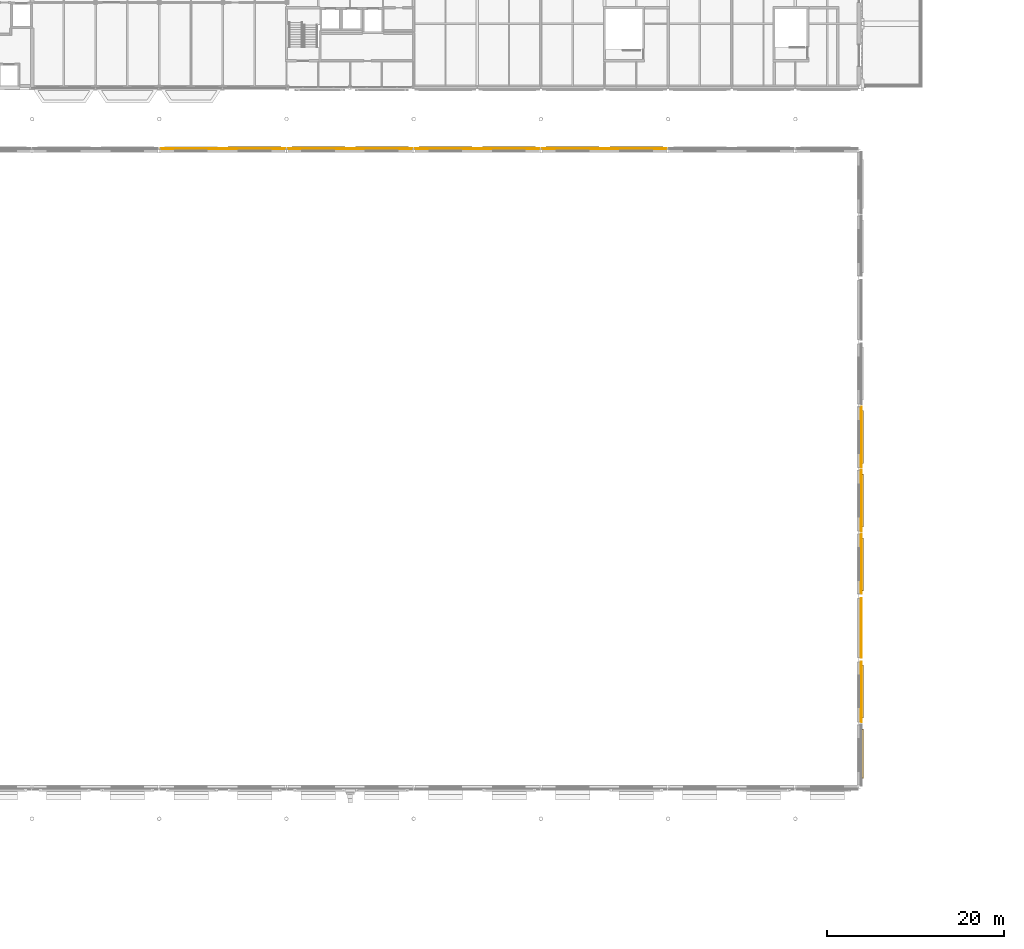
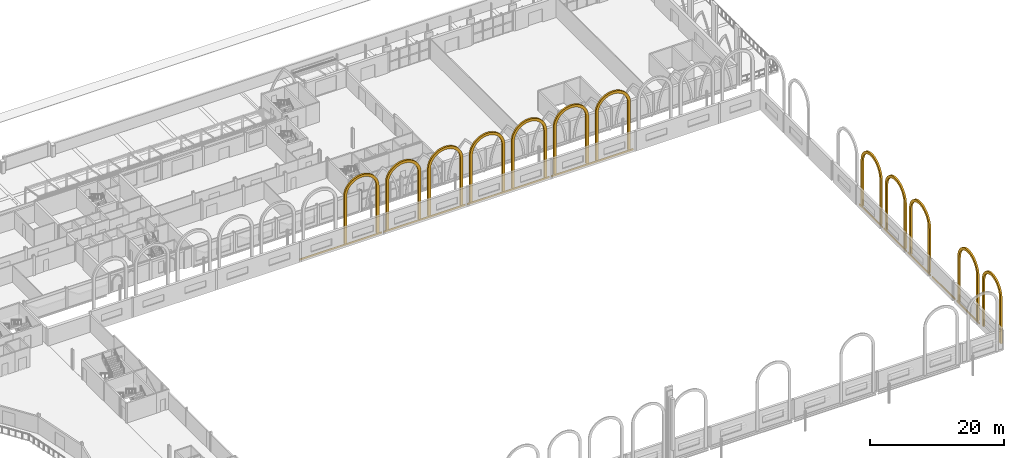
# One storey, part 125 of 143: 21 coverings.
"""IFC4 building model written with IfcOpenShell, lengths in metres."""

import ifcopenshell
import ifcopenshell.guid

model = None  # the IFC model being written
_history = None  # IfcOwnerHistory: only IFC2X3 demands one
_inside = {}  # id of a spatial element -> (the spatial element, [elements in it])
_under = {}  # id of a project, library or spatial element -> (it, [spatial elements below it])
_declared = {}  # id of a project -> (the project, [libraries it declares])
_typed = {}  # id of a type object -> (the type object, [elements of that type])
_made_of = {}  # id of a material, layer set ... -> (it, [elements and type objects made of it])


def new_model(schema):
    """Start an empty IFC model of exactly this schema.

    Asked for "IFC4X3", IfcOpenShell would pick the latest addendum, in which some entities
    have other attributes; the version numbers below select the first issue.
    IFC2X3 requires an IfcOwnerHistory on every rooted entity: one is made here for all.
    """
    global model, _history
    if schema == "IFC4X3":
        model = ifcopenshell.file(schema_version=(4, 3, 0, 0))
    else:
        model = ifcopenshell.file(schema=schema)
    _inside.clear()
    _under.clear()
    _declared.clear()
    _typed.clear()
    _made_of.clear()
    _history = None
    if model.schema == "IFC2X3":
        org = make("IfcOrganization", Name="unknown")
        user = make(
            "IfcPersonAndOrganization",
            ThePerson=make("IfcPerson", FamilyName="unknown"),
            TheOrganization=org,
        )
        app = make(
            "IfcApplication",
            ApplicationDeveloper=org,
            Version="unknown",
            ApplicationFullName="unknown",
            ApplicationIdentifier="unknown",
        )
        _history = make(
            "IfcOwnerHistory",
            OwningUser=user,
            OwningApplication=app,
            ChangeAction="ADDED",
            CreationDate=0,
        )
    return model


def make(cls, **values):
    """One entity of the class cls with the attributes given. An attribute that is None is left unset."""
    return model.create_entity(
        cls, **{name: value for name, value in values.items() if value is not None}
    )


def rooted(cls, **values):
    """An entity with a GlobalId (a new one), such as an element, a storey or a relation."""
    return make(cls, GlobalId=ifcopenshell.guid.new(), OwnerHistory=_history, **values)


def si_unit(unit_type, name, prefix=None):
    """IfcSIUnit, for example si_unit("LENGTHUNIT", "METRE", prefix="MILLI")."""
    return make("IfcSIUnit", UnitType=unit_type, Prefix=prefix, Name=name)


def assignment(units):
    """IfcUnitAssignment: the units of a project."""
    return None if units is None else make("IfcUnitAssignment", Units=units)


def point(xyz):
    """IfcCartesianPoint."""
    return None if xyz is None else make("IfcCartesianPoint", Coordinates=xyz)


def direction(xyz):
    """IfcDirection."""
    return None if xyz is None else make("IfcDirection", DirectionRatios=xyz)


def frame(location, z_axis=None, x_axis=None):
    """IfcAxis2Placement3D, a coordinate frame: its origin and axes. An axis left out is left unset."""
    return make(
        "IfcAxis2Placement3D",
        Location=point(location),
        Axis=direction(z_axis),
        RefDirection=direction(x_axis),
    )


def frame_2d(location, x_axis=None):
    """IfcAxis2Placement2D, a coordinate frame in the plane: its origin and x axis."""
    return make(
        "IfcAxis2Placement2D", Location=point(location), RefDirection=direction(x_axis)
    )


def origin():
    """The frame at (0, 0, 0) with its axes left unset."""
    return frame((0.0, 0.0, 0.0))


def origin_2d():
    """The frame at (0, 0) in the plane with its x axis left unset."""
    return frame_2d((0.0, 0.0))


def place(relative_to, where):
    """IfcLocalPlacement: puts the frame where relative to a parent placement (None: the world)."""
    return make(
        "IfcLocalPlacement", PlacementRelTo=relative_to, RelativePlacement=where
    )


def context(
    kind, dimensions, precision=None, world=None, true_north=None, identifier=None
):
    """IfcGeometricRepresentationContext, for example the 3D "Model" context."""
    return make(
        "IfcGeometricRepresentationContext",
        ContextIdentifier=identifier,
        ContextType=kind,
        CoordinateSpaceDimension=dimensions,
        Precision=precision,
        WorldCoordinateSystem=world,
        TrueNorth=true_north,
    )


def subcontext(parent, identifier, kind, view, scale=None):
    """IfcGeometricRepresentationSubContext, for example "Body" below "Model"."""
    return make(
        "IfcGeometricRepresentationSubContext",
        ContextIdentifier=identifier,
        ContextType=kind,
        ParentContext=parent,
        TargetScale=scale,
        TargetView=view,
    )


def project(units=None, contexts=None):
    """IfcProject with its units and contexts."""
    return rooted(
        "IfcProject",
        Name="project",
        RepresentationContexts=contexts,
        UnitsInContext=assignment(units),
    )


def spatial(cls, under=None, at=None, **own):
    """A site, building, storey or space (cls), placed at a placement, below another one or the project."""
    s = rooted(cls, ObjectPlacement=at, **own)
    if under is not None:
        _under.setdefault(under.id(), (under, []))[1].append(s)
    return s


def polyline(points):
    """IfcPolyline through the points."""
    return make("IfcPolyline", Points=[point(p) for p in points])


def profile(cls, at=None, kind="AREA", **sizes):
    """A parametric profile (cls). Its sizes go by their IFC names, for example OverallWidth=200.0."""
    return make(cls, ProfileType=kind, Position=at, **sizes)


def rectangle(**sizes):
    """IfcRectangleProfileDef."""
    return profile("IfcRectangleProfileDef", **sizes)


def outline(outer, holes=None, kind="AREA"):
    """IfcArbitraryClosedProfileDef: a profile drawn as a closed curve; with holes, ...WithVoids."""
    if holes is None:
        return make("IfcArbitraryClosedProfileDef", ProfileType=kind, OuterCurve=outer)
    return make(
        "IfcArbitraryProfileDefWithVoids",
        ProfileType=kind,
        OuterCurve=outer,
        InnerCurves=holes,
    )


def extrude(swept, where, along, depth):
    """IfcExtrudedAreaSolid: the profile swept, set in the frame where, extruded along a direction by depth."""
    return make(
        "IfcExtrudedAreaSolid",
        SweptArea=swept,
        Position=where,
        ExtrudedDirection=direction(along),
        Depth=depth,
    )


def shape(context_of_items, identifier, shape_type, items):
    """IfcShapeRepresentation: the items that make up one representation, for example the "Body"."""
    return make(
        "IfcShapeRepresentation",
        ContextOfItems=context_of_items,
        RepresentationIdentifier=identifier,
        RepresentationType=shape_type,
        Items=items,
    )


def material(Name=None, Category=None):
    """IfcMaterial."""
    return make("IfcMaterial", Name=Name, Category=Category)


def layer(
    of_material, thickness, ventilated=None, Name=None, Category=None, Priority=None
):
    """IfcMaterialLayer: one layer of a wall or slab, of a material (None: an air gap)."""
    return make(
        "IfcMaterialLayer",
        Material=of_material,
        LayerThickness=thickness,
        IsVentilated=ventilated,
        Name=Name,
        Category=Category,
        Priority=Priority,
    )


def layer_set(layers, Name=None):
    """IfcMaterialLayerSet."""
    return make("IfcMaterialLayerSet", MaterialLayers=layers, LayerSetName=Name)


def made_of(thing, what):
    """Note that an element or type object is made of a material, layer set ...; save() writes the relation."""
    if what is not None:
        _made_of.setdefault(what.id(), (what, []))[1].append(thing)
    return thing


def type_object(cls, material=None, **own):
    """A type object (cls), such as IfcWallType, which elements share."""
    return made_of(rooted(cls, **own), material)


def element(
    cls,
    number,
    at=None,
    inside=None,
    cuts=None,
    type_object=None,
    material=None,
    context=None,
    identifier="Body",
    shape_type=None,
    held_by="IfcProductDefinitionShape",
    body=None,
    shapes=None,
    **own,
):
    """One element of the class cls, such as IfcWall. Its Tag is "e" and its number.

    at: its placement. inside: the storey or other place that contains it. cuts: it is an
    opening in that element (IfcRelVoidsElement). A single representation is given by context,
    identifier, shape_type and body (its items); several are given by shapes. held_by: the class
    of the entity that holds the representations. save() writes the other relations.
    """
    e = rooted(cls, Tag="e%d" % number, ObjectPlacement=at, **own)
    if body is not None:
        shapes = [shape(context, identifier, shape_type, body)]
    if shapes is not None:
        e.Representation = make(held_by, Representations=shapes)
    if inside is not None:
        _inside.setdefault(inside.id(), (inside, []))[1].append(e)
    if cuts is not None:
        rooted(
            "IfcRelVoidsElement", RelatingBuildingElement=cuts, RelatedOpeningElement=e
        )
    if type_object is not None:
        _typed.setdefault(type_object.id(), (type_object, []))[1].append(e)
    return made_of(e, material)


def aggregate(whole, parts):
    """IfcRelAggregates: a whole, such as a stair, and the parts it consists of."""
    return rooted("IfcRelAggregates", RelatingObject=whole, RelatedObjects=parts)


def save(model, path):
    """Write the relations noted so far, then the file.

    IfcRelAggregates (storeys below a building ...), IfcRelContainedInSpatialStructure (elements
    in a storey), IfcRelDefinesByType, IfcRelAssociatesMaterial and IfcRelDeclares: one each for
    every whole, place, type object, material and project.
    """
    for whole, parts in _under.values():
        aggregate(whole, parts)
    for where, things in _inside.values():
        rooted(
            "IfcRelContainedInSpatialStructure",
            RelatedElements=things,
            RelatingStructure=where,
        )
    for kind, things in _typed.values():
        rooted("IfcRelDefinesByType", RelatedObjects=things, RelatingType=kind)
    for what, things in _made_of.values():
        rooted("IfcRelAssociatesMaterial", RelatedObjects=things, RelatingMaterial=what)
    for by, libraries in _declared.values():
        rooted("IfcRelDeclares", RelatingContext=by, RelatedDefinitions=libraries)
    model.write(path)


model = new_model("IFC4")

# Units and contexts
model_context = context("Model", 3, precision=1e-05, world=origin(), true_north=direction((0.0, 1.0)))
body_context = subcontext(model_context, "Body", "Model", "MODEL_VIEW")
ifc_project = project(units=[si_unit("LENGTHUNIT", "METRE"), si_unit("AREAUNIT", "SQUARE_METRE"), si_unit("VOLUMEUNIT", "CUBIC_METRE"), si_unit("PLANEANGLEUNIT", "RADIAN"), si_unit("MASSUNIT", "GRAM", prefix="KILO")], contexts=[model_context])

# Site, building, storey
site_placement = place(None, origin())
site = spatial("IfcSite", under=ifc_project, at=site_placement, CompositionType="ELEMENT")
building_placement = place(site_placement, origin())
building = spatial("IfcBuilding", under=site, at=building_placement, Name="Kupolbacken Congress Centre", CompositionType="ELEMENT")
storey_placement = place(building_placement, frame((0.0, 0.0, 7.199951171875)))
storey = spatial("IfcBuildingStorey", under=building, at=storey_placement, Name="L02", CompositionType="ELEMENT", Elevation=7.199951171875)

# Coverings
ifc_material_1 = material(Name="Brick cladding", Category="masonry")
ifc_layer_1 = layer(ifc_material_1, 0.10791015625)
ifc_layer_set_1 = layer_set([ifc_layer_1], Name="Brick cladding")
covering_type_1 = type_object("IfcCoveringType", Name="CV2 brick cladding band 108", PredefinedType="CLADDING", material=ifc_layer_set_1)
covering_1_placement = place(storey_placement, frame((201.864013671875, 53.949951171875, 0.0), z_axis=(0.0, 0.0, 1.0), x_axis=(0.0, 1.0, 0.0)))
element("IfcCovering", 1, at=covering_1_placement, inside=storey, type_object=covering_type_1, Name="E/H/E/L02/247/band", PredefinedType="CLADDING", context=body_context, shape_type="SweptSolid", body=[
    extrude(rectangle(XDim=6.81005859375, YDim=0.10791015625, at=origin_2d()), origin(), (0.0, 0.0, 1.0), 0.300048828125),
])
covering_2_placement = place(storey_placement, frame((201.864013671875, 61.199951171875, 0.0), z_axis=(0.0, 0.0, 1.0), x_axis=(0.0, 1.0, 0.0)))
element("IfcCovering", 2, at=covering_2_placement, inside=storey, type_object=covering_type_1, Name="E/H/E/L02/248/band", PredefinedType="CLADDING", context=body_context, shape_type="SweptSolid", body=[
    extrude(rectangle(XDim=6.7099609375, YDim=0.10791015625, at=origin_2d()), origin(), (0.0, 0.0, 1.0), 0.300048828125),
])
covering_3_placement = place(storey_placement, frame((201.864013671875, 68.449951171875, 0.0), z_axis=(0.0, 0.0, 1.0), x_axis=(0.0, 1.0, 0.0)))
element("IfcCovering", 3, at=covering_3_placement, inside=storey, type_object=covering_type_1, Name="E/H/E/L02/249/band", PredefinedType="CLADDING", context=body_context, shape_type="SweptSolid", body=[
    extrude(rectangle(XDim=6.81005859375, YDim=0.10791015625, at=origin_2d()), origin(), (0.0, 0.0, 1.0), 0.300048828125),
])
for number, where, z_axis, x_axis, name in (
    (4, (201.864013671875, 75.60009765625, 0.0), (0.0, 0.0, 1.0), (0.0, 1.0, 0.0), "E/H/E/L02/250/band"),
    (5, (201.864013671875, 82.800048828125, 0.0), (0.0, 0.0, 1.0), (0.0, 1.0, 0.0), "E/H/E/L02/251/band"),
):
    element("IfcCovering", number, at=place(storey_placement, frame(where, z_axis=z_axis, x_axis=x_axis)), inside=storey, type_object=covering_type_1, Name=name, PredefinedType="CLADDING", context=body_context, shape_type="SweptSolid", body=[
        extrude(rectangle(XDim=6.909912109375, YDim=0.10791015625, at=origin_2d()), origin(), (0.0, 0.0, 1.0), 0.300048828125),
    ])
for number, where, z_axis, x_axis, name in (
    (6, (172.800048828125, 115.464111328125, 0.0), (0.0, 0.0, 1.0), (-1.0, 0.0, 0.0), "E/H/N/L02/258/band"),
    (7, (158.39990234375, 115.464111328125, 0.0), (0.0, 0.0, 1.0), (-1.0, 0.0, 0.0), "E/H/N/L02/259/band"),
    (8, (144.0, 115.464111328125, 0.0), (0.0, 0.0, 1.0), (-1.0, 0.0, 0.0), "E/H/N/L02/260/band"),
    (9, (129.60009765625, 115.464111328125, 0.0), (0.0, 0.0, 1.0), (-1.0, 0.0, 0.0), "E/H/N/L02/261/band"),
):
    element("IfcCovering", number, at=place(storey_placement, frame(where, z_axis=z_axis, x_axis=x_axis)), inside=storey, type_object=covering_type_1, Name=name, PredefinedType="CLADDING", context=body_context, shape_type="SweptSolid", body=[
        extrude(rectangle(XDim=14.10009765625, YDim=0.10791015625, at=origin_2d()), origin(), (0.0, 0.0, 1.0), 0.300048828125),
    ])
ifc_material_2 = material(Name="Limestone cladding", Category="masonry")
ifc_layer_2 = layer(ifc_material_2, 0.300048828125)
ifc_layer_set_2 = layer_set([ifc_layer_2], Name="Limestone cladding")
covering_type_2 = type_object("IfcCoveringType", Name="CV6 limestone arcade arch frame 300", PredefinedType="CLADDING", material=ifc_layer_set_2)
covering_4_placement = place(storey_placement, frame((130.199951171875, 115.409912109375, 0.300048828125), z_axis=(0.0, 1.0, 0.0), x_axis=(-1.0, 0.0, 0.0)))
element("IfcCovering", 10, at=covering_4_placement, inside=storey, type_object=covering_type_2, Name="F/HR/H/N/frame/06", PredefinedType="CLADDING", context=body_context, shape_type="SweptSolid", body=[
    extrude(outline(polyline([(0.0, 0.0), (0.0, 8.550048828125), (-0.018798828125, 8.885986328125), (-0.0751953125, 9.217529296875), (-0.16845703125, 9.540771484375), (-0.297119140625, 9.851806640625), (-0.459716796875, 10.14599609375), (-0.654541015625, 10.42041015625), (-0.878662109375, 10.67138671875), (-1.12939453125, 10.8955078125), (-1.40380859375, 11.090087890625), (-1.6982421875, 11.2529296875), (-2.00927734375, 11.381591796875), (-2.33251953125, 11.474853515625), (-2.6640625, 11.531005859375), (-3.0, 11.550048828125), (-3.3359375, 11.531005859375), (-3.66748046875, 11.474853515625), (-3.99072265625, 11.381591796875), (-4.3017578125, 11.2529296875), (-4.59619140625, 11.090087890625), (-4.87060546875, 10.8955078125), (-5.121337890625, 10.67138671875), (-5.345458984375, 10.42041015625), (-5.540283203125, 10.14599609375), (-5.702880859375, 9.851806640625), (-5.83154296875, 9.540771484375), (-5.9248046875, 9.217529296875), (-5.981201171875, 8.885986328125), (-6.0, 8.550048828125), (-6.0, 0.0), (-5.550048828125, 0.0), (-5.550048828125, 8.550048828125), (-5.533935546875, 8.83544921875), (-5.486083984375, 9.117431640625), (-5.406982421875, 9.39208984375), (-5.297607421875, 9.656494140625), (-5.1591796875, 9.90673828125), (-4.99365234375, 10.139892578125), (-4.802978515625, 10.35302734375), (-4.58984375, 10.543701171875), (-4.356689453125, 10.708984375), (-4.1064453125, 10.847412109375), (-3.84228515625, 10.956787109375), (-3.5673828125, 11.0361328125), (-3.285400390625, 11.083984375), (-3.0, 11.10009765625), (-2.714599609375, 11.083984375), (-2.4326171875, 11.0361328125), (-2.15771484375, 10.956787109375), (-1.8935546875, 10.847412109375), (-1.643310546875, 10.708984375), (-1.41015625, 10.543701171875), (-1.197021484375, 10.35302734375), (-1.00634765625, 10.139892578125), (-0.8408203125, 9.90673828125), (-0.702392578125, 9.656494140625), (-0.593017578125, 9.39208984375), (-0.513916015625, 9.117431640625), (-0.466064453125, 8.83544921875), (-0.449951171875, 8.550048828125), (-0.449951171875, 0.0), (0.0, 0.0)])), origin(), (0.0, 0.0, 1.0), 0.300048828125),
])
covering_5_placement = place(storey_placement, frame((137.39990234375, 115.409912109375, 0.300048828125), z_axis=(0.0, 1.0, 0.0), x_axis=(-1.0, 0.0, 0.0)))
element("IfcCovering", 11, at=covering_5_placement, inside=storey, type_object=covering_type_2, Name="F/HR/H/N/frame/07", PredefinedType="CLADDING", context=body_context, shape_type="SweptSolid", body=[
    extrude(outline(polyline([(0.0, 0.0), (0.0, 8.550048828125), (-0.018798828125, 8.885986328125), (-0.0751953125, 9.217529296875), (-0.16845703125, 9.540771484375), (-0.297119140625, 9.851806640625), (-0.459716796875, 10.14599609375), (-0.654541015625, 10.42041015625), (-0.878662109375, 10.67138671875), (-1.12939453125, 10.8955078125), (-1.40380859375, 11.090087890625), (-1.6982421875, 11.2529296875), (-2.00927734375, 11.381591796875), (-2.33251953125, 11.474853515625), (-2.6640625, 11.531005859375), (-3.0, 11.550048828125), (-3.3359375, 11.531005859375), (-3.66748046875, 11.474853515625), (-3.99072265625, 11.381591796875), (-4.3017578125, 11.2529296875), (-4.59619140625, 11.090087890625), (-4.87060546875, 10.8955078125), (-5.121337890625, 10.67138671875), (-5.345458984375, 10.42041015625), (-5.540283203125, 10.14599609375), (-5.702880859375, 9.851806640625), (-5.83154296875, 9.540771484375), (-5.9248046875, 9.217529296875), (-5.981201171875, 8.885986328125), (-6.0, 8.550048828125), (-6.0, 0.0), (-5.550048828125, 0.0), (-5.550048828125, 8.550048828125), (-5.533935546875, 8.83544921875), (-5.486083984375, 9.117431640625), (-5.406982421875, 9.39208984375), (-5.297607421875, 9.656494140625), (-5.1591796875, 9.90673828125), (-4.99365234375, 10.139892578125), (-4.802978515625, 10.35302734375), (-4.58984375, 10.543701171875), (-4.356689453125, 10.708984375), (-4.1064453125, 10.847412109375), (-3.84228515625, 10.956787109375), (-3.5673828125, 11.0361328125), (-3.285400390625, 11.083984375), (-3.0, 11.10009765625), (-2.714599609375, 11.083984375), (-2.4326171875, 11.0361328125), (-2.15771484375, 10.956787109375), (-1.8935546875, 10.847412109375), (-1.643310546875, 10.708984375), (-1.41015625, 10.543701171875), (-1.197021484375, 10.35302734375), (-1.00634765625, 10.139892578125), (-0.8408203125, 9.90673828125), (-0.702392578125, 9.656494140625), (-0.593017578125, 9.39208984375), (-0.513916015625, 9.117431640625), (-0.466064453125, 8.83544921875), (-0.449951171875, 8.550048828125), (-0.449951171875, 0.0), (0.0, 0.0)])), origin(), (0.0, 0.0, 1.0), 0.300048828125),
])
covering_6_placement = place(storey_placement, frame((144.60009765625, 115.409912109375, 0.300048828125), z_axis=(0.0, 1.0, 0.0), x_axis=(-1.0, 0.0, 0.0)))
element("IfcCovering", 12, at=covering_6_placement, inside=storey, type_object=covering_type_2, Name="F/HR/H/N/frame/08", PredefinedType="CLADDING", context=body_context, shape_type="SweptSolid", body=[
    extrude(outline(polyline([(0.0, 0.0), (0.0, 8.550048828125), (-0.018798828125, 8.885986328125), (-0.0751953125, 9.217529296875), (-0.16845703125, 9.540771484375), (-0.297119140625, 9.851806640625), (-0.459716796875, 10.14599609375), (-0.654541015625, 10.42041015625), (-0.878662109375, 10.67138671875), (-1.12939453125, 10.8955078125), (-1.40380859375, 11.090087890625), (-1.6982421875, 11.2529296875), (-2.00927734375, 11.381591796875), (-2.33251953125, 11.474853515625), (-2.6640625, 11.531005859375), (-3.0, 11.550048828125), (-3.3359375, 11.531005859375), (-3.66748046875, 11.474853515625), (-3.99072265625, 11.381591796875), (-4.3017578125, 11.2529296875), (-4.59619140625, 11.090087890625), (-4.87060546875, 10.8955078125), (-5.121337890625, 10.67138671875), (-5.345458984375, 10.42041015625), (-5.540283203125, 10.14599609375), (-5.702880859375, 9.851806640625), (-5.83154296875, 9.540771484375), (-5.9248046875, 9.217529296875), (-5.981201171875, 8.885986328125), (-6.0, 8.550048828125), (-6.0, 0.0), (-5.550048828125, 0.0), (-5.550048828125, 8.550048828125), (-5.533935546875, 8.83544921875), (-5.486083984375, 9.117431640625), (-5.406982421875, 9.39208984375), (-5.297607421875, 9.656494140625), (-5.1591796875, 9.90673828125), (-4.99365234375, 10.139892578125), (-4.802978515625, 10.35302734375), (-4.58984375, 10.543701171875), (-4.356689453125, 10.708984375), (-4.1064453125, 10.847412109375), (-3.84228515625, 10.956787109375), (-3.5673828125, 11.0361328125), (-3.285400390625, 11.083984375), (-3.0, 11.10009765625), (-2.714599609375, 11.083984375), (-2.4326171875, 11.0361328125), (-2.15771484375, 10.956787109375), (-1.8935546875, 10.847412109375), (-1.643310546875, 10.708984375), (-1.41015625, 10.543701171875), (-1.197021484375, 10.35302734375), (-1.00634765625, 10.139892578125), (-0.8408203125, 9.90673828125), (-0.702392578125, 9.656494140625), (-0.593017578125, 9.39208984375), (-0.513916015625, 9.117431640625), (-0.466064453125, 8.83544921875), (-0.449951171875, 8.550048828125), (-0.449951171875, 0.0), (0.0, 0.0)])), origin(), (0.0, 0.0, 1.0), 0.300048828125),
])
covering_7_placement = place(storey_placement, frame((151.800048828125, 115.409912109375, 0.300048828125), z_axis=(0.0, 1.0, 0.0), x_axis=(-1.0, 0.0, 0.0)))
element("IfcCovering", 13, at=covering_7_placement, inside=storey, type_object=covering_type_2, Name="F/HR/H/N/frame/09", PredefinedType="CLADDING", context=body_context, shape_type="SweptSolid", body=[
    extrude(outline(polyline([(0.0, 0.0), (0.0, 8.550048828125), (-0.018798828125, 8.885986328125), (-0.0751953125, 9.217529296875), (-0.16845703125, 9.540771484375), (-0.297119140625, 9.851806640625), (-0.459716796875, 10.14599609375), (-0.654541015625, 10.42041015625), (-0.878662109375, 10.67138671875), (-1.12939453125, 10.8955078125), (-1.40380859375, 11.090087890625), (-1.6982421875, 11.2529296875), (-2.00927734375, 11.381591796875), (-2.33251953125, 11.474853515625), (-2.6640625, 11.531005859375), (-3.0, 11.550048828125), (-3.3359375, 11.531005859375), (-3.66748046875, 11.474853515625), (-3.99072265625, 11.381591796875), (-4.3017578125, 11.2529296875), (-4.59619140625, 11.090087890625), (-4.87060546875, 10.8955078125), (-5.121337890625, 10.67138671875), (-5.345458984375, 10.42041015625), (-5.540283203125, 10.14599609375), (-5.702880859375, 9.851806640625), (-5.83154296875, 9.540771484375), (-5.9248046875, 9.217529296875), (-5.981201171875, 8.885986328125), (-6.0, 8.550048828125), (-6.0, 0.0), (-5.550048828125, 0.0), (-5.550048828125, 8.550048828125), (-5.533935546875, 8.83544921875), (-5.486083984375, 9.117431640625), (-5.406982421875, 9.39208984375), (-5.297607421875, 9.656494140625), (-5.1591796875, 9.90673828125), (-4.99365234375, 10.139892578125), (-4.802978515625, 10.35302734375), (-4.58984375, 10.543701171875), (-4.356689453125, 10.708984375), (-4.1064453125, 10.847412109375), (-3.84228515625, 10.956787109375), (-3.5673828125, 11.0361328125), (-3.285400390625, 11.083984375), (-3.0, 11.10009765625), (-2.714599609375, 11.083984375), (-2.4326171875, 11.0361328125), (-2.15771484375, 10.956787109375), (-1.8935546875, 10.847412109375), (-1.643310546875, 10.708984375), (-1.41015625, 10.543701171875), (-1.197021484375, 10.35302734375), (-1.00634765625, 10.139892578125), (-0.8408203125, 9.90673828125), (-0.702392578125, 9.656494140625), (-0.593017578125, 9.39208984375), (-0.513916015625, 9.117431640625), (-0.466064453125, 8.83544921875), (-0.449951171875, 8.550048828125), (-0.449951171875, 0.0), (0.0, 0.0)])), origin(), (0.0, 0.0, 1.0), 0.300048828125),
])
covering_8_placement = place(storey_placement, frame((159.0, 115.409912109375, 0.300048828125), z_axis=(0.0, 1.0, 0.0), x_axis=(-1.0, 0.0, 0.0)))
element("IfcCovering", 14, at=covering_8_placement, inside=storey, type_object=covering_type_2, Name="F/HR/H/N/frame/10", PredefinedType="CLADDING", context=body_context, shape_type="SweptSolid", body=[
    extrude(outline(polyline([(0.0, 0.0), (0.0, 8.550048828125), (-0.018798828125, 8.885986328125), (-0.0751953125, 9.217529296875), (-0.16845703125, 9.540771484375), (-0.297119140625, 9.851806640625), (-0.459716796875, 10.14599609375), (-0.654541015625, 10.42041015625), (-0.878662109375, 10.67138671875), (-1.12939453125, 10.8955078125), (-1.40380859375, 11.090087890625), (-1.6982421875, 11.2529296875), (-2.00927734375, 11.381591796875), (-2.33251953125, 11.474853515625), (-2.6640625, 11.531005859375), (-3.0, 11.550048828125), (-3.3359375, 11.531005859375), (-3.66748046875, 11.474853515625), (-3.99072265625, 11.381591796875), (-4.3017578125, 11.2529296875), (-4.59619140625, 11.090087890625), (-4.87060546875, 10.8955078125), (-5.121337890625, 10.67138671875), (-5.345458984375, 10.42041015625), (-5.540283203125, 10.14599609375), (-5.702880859375, 9.851806640625), (-5.83154296875, 9.540771484375), (-5.9248046875, 9.217529296875), (-5.981201171875, 8.885986328125), (-6.0, 8.550048828125), (-6.0, 0.0), (-5.550048828125, 0.0), (-5.550048828125, 8.550048828125), (-5.533935546875, 8.83544921875), (-5.486083984375, 9.117431640625), (-5.406982421875, 9.39208984375), (-5.297607421875, 9.656494140625), (-5.1591796875, 9.90673828125), (-4.99365234375, 10.139892578125), (-4.802978515625, 10.35302734375), (-4.58984375, 10.543701171875), (-4.356689453125, 10.708984375), (-4.1064453125, 10.847412109375), (-3.84228515625, 10.956787109375), (-3.5673828125, 11.0361328125), (-3.285400390625, 11.083984375), (-3.0, 11.10009765625), (-2.714599609375, 11.083984375), (-2.4326171875, 11.0361328125), (-2.15771484375, 10.956787109375), (-1.8935546875, 10.847412109375), (-1.643310546875, 10.708984375), (-1.41015625, 10.543701171875), (-1.197021484375, 10.35302734375), (-1.00634765625, 10.139892578125), (-0.8408203125, 9.90673828125), (-0.702392578125, 9.656494140625), (-0.593017578125, 9.39208984375), (-0.513916015625, 9.117431640625), (-0.466064453125, 8.83544921875), (-0.449951171875, 8.550048828125), (-0.449951171875, 0.0), (0.0, 0.0)])), origin(), (0.0, 0.0, 1.0), 0.300048828125),
])
covering_9_placement = place(storey_placement, frame((166.199951171875, 115.409912109375, 0.300048828125), z_axis=(0.0, 1.0, 0.0), x_axis=(-1.0, 0.0, 0.0)))
element("IfcCovering", 15, at=covering_9_placement, inside=storey, type_object=covering_type_2, Name="F/HR/H/N/frame/11", PredefinedType="CLADDING", context=body_context, shape_type="SweptSolid", body=[
    extrude(outline(polyline([(0.0, 0.0), (0.0, 8.550048828125), (-0.018798828125, 8.885986328125), (-0.0751953125, 9.217529296875), (-0.16845703125, 9.540771484375), (-0.297119140625, 9.851806640625), (-0.459716796875, 10.14599609375), (-0.654541015625, 10.42041015625), (-0.878662109375, 10.67138671875), (-1.12939453125, 10.8955078125), (-1.40380859375, 11.090087890625), (-1.6982421875, 11.2529296875), (-2.00927734375, 11.381591796875), (-2.33251953125, 11.474853515625), (-2.6640625, 11.531005859375), (-3.0, 11.550048828125), (-3.3359375, 11.531005859375), (-3.66748046875, 11.474853515625), (-3.99072265625, 11.381591796875), (-4.3017578125, 11.2529296875), (-4.59619140625, 11.090087890625), (-4.87060546875, 10.8955078125), (-5.121337890625, 10.67138671875), (-5.345458984375, 10.42041015625), (-5.540283203125, 10.14599609375), (-5.702880859375, 9.851806640625), (-5.83154296875, 9.540771484375), (-5.9248046875, 9.217529296875), (-5.981201171875, 8.885986328125), (-6.0, 8.550048828125), (-6.0, 0.0), (-5.550048828125, 0.0), (-5.550048828125, 8.550048828125), (-5.533935546875, 8.83544921875), (-5.486083984375, 9.117431640625), (-5.406982421875, 9.39208984375), (-5.297607421875, 9.656494140625), (-5.1591796875, 9.90673828125), (-4.99365234375, 10.139892578125), (-4.802978515625, 10.35302734375), (-4.58984375, 10.543701171875), (-4.356689453125, 10.708984375), (-4.1064453125, 10.847412109375), (-3.84228515625, 10.956787109375), (-3.5673828125, 11.0361328125), (-3.285400390625, 11.083984375), (-3.0, 11.10009765625), (-2.714599609375, 11.083984375), (-2.4326171875, 11.0361328125), (-2.15771484375, 10.956787109375), (-1.8935546875, 10.847412109375), (-1.643310546875, 10.708984375), (-1.41015625, 10.543701171875), (-1.197021484375, 10.35302734375), (-1.00634765625, 10.139892578125), (-0.8408203125, 9.90673828125), (-0.702392578125, 9.656494140625), (-0.593017578125, 9.39208984375), (-0.513916015625, 9.117431640625), (-0.466064453125, 8.83544921875), (-0.449951171875, 8.550048828125), (-0.449951171875, 0.0), (0.0, 0.0)])), origin(), (0.0, 0.0, 1.0), 0.300048828125),
])
covering_10_placement = place(storey_placement, frame((173.39990234375, 115.409912109375, 0.300048828125), z_axis=(0.0, 1.0, 0.0), x_axis=(-1.0, 0.0, 0.0)))
element("IfcCovering", 16, at=covering_10_placement, inside=storey, type_object=covering_type_2, Name="F/HR/H/N/frame/12", PredefinedType="CLADDING", context=body_context, shape_type="SweptSolid", body=[
    extrude(outline(polyline([(0.0, 0.0), (0.0, 8.550048828125), (-0.018798828125, 8.885986328125), (-0.0751953125, 9.217529296875), (-0.16845703125, 9.540771484375), (-0.297119140625, 9.851806640625), (-0.459716796875, 10.14599609375), (-0.654541015625, 10.42041015625), (-0.878662109375, 10.67138671875), (-1.12939453125, 10.8955078125), (-1.40380859375, 11.090087890625), (-1.6982421875, 11.2529296875), (-2.00927734375, 11.381591796875), (-2.33251953125, 11.474853515625), (-2.6640625, 11.531005859375), (-3.0, 11.550048828125), (-3.3359375, 11.531005859375), (-3.66748046875, 11.474853515625), (-3.99072265625, 11.381591796875), (-4.3017578125, 11.2529296875), (-4.59619140625, 11.090087890625), (-4.87060546875, 10.8955078125), (-5.121337890625, 10.67138671875), (-5.345458984375, 10.42041015625), (-5.540283203125, 10.14599609375), (-5.702880859375, 9.851806640625), (-5.83154296875, 9.540771484375), (-5.9248046875, 9.217529296875), (-5.981201171875, 8.885986328125), (-6.0, 8.550048828125), (-6.0, 0.0), (-5.550048828125, 0.0), (-5.550048828125, 8.550048828125), (-5.533935546875, 8.83544921875), (-5.486083984375, 9.117431640625), (-5.406982421875, 9.39208984375), (-5.297607421875, 9.656494140625), (-5.1591796875, 9.90673828125), (-4.99365234375, 10.139892578125), (-4.802978515625, 10.35302734375), (-4.58984375, 10.543701171875), (-4.356689453125, 10.708984375), (-4.1064453125, 10.847412109375), (-3.84228515625, 10.956787109375), (-3.5673828125, 11.0361328125), (-3.285400390625, 11.083984375), (-3.0, 11.10009765625), (-2.714599609375, 11.083984375), (-2.4326171875, 11.0361328125), (-2.15771484375, 10.956787109375), (-1.8935546875, 10.847412109375), (-1.643310546875, 10.708984375), (-1.41015625, 10.543701171875), (-1.197021484375, 10.35302734375), (-1.00634765625, 10.139892578125), (-0.8408203125, 9.90673828125), (-0.702392578125, 9.656494140625), (-0.593017578125, 9.39208984375), (-0.513916015625, 9.117431640625), (-0.466064453125, 8.83544921875), (-0.449951171875, 8.550048828125), (-0.449951171875, 0.0), (0.0, 0.0)])), origin(), (0.0, 0.0, 1.0), 0.300048828125),
])
covering_11_placement = place(storey_placement, frame((201.81005859375, 44.179931640625, 0.300048828125), z_axis=(1.0, 0.0, 0.0), x_axis=(0.0, 1.0, 0.0)))
element("IfcCovering", 17, at=covering_11_placement, inside=storey, type_object=covering_type_2, Name="F/HR/H/E/frame/00", PredefinedType="CLADDING", context=body_context, shape_type="SweptSolid", body=[
    extrude(outline(polyline([(0.0, 0.0), (0.0, 8.320068359375), (0.017578125, 8.63134765625), (0.069580078125, 8.938720703125), (0.156005859375, 9.23828125), (0.275390625, 9.526123046875), (0.426025390625, 9.799072265625), (0.6064453125, 10.05322265625), (0.814208984375, 10.285888671875), (1.046630859375, 10.493408203125), (1.301025390625, 10.673828125), (1.57373046875, 10.82470703125), (1.86181640625, 10.944091796875), (2.161376953125, 11.0302734375), (2.46875, 11.08251953125), (2.780029296875, 11.10009765625), (3.09130859375, 11.08251953125), (3.398681640625, 11.0302734375), (3.6982421875, 10.944091796875), (3.986083984375, 10.82470703125), (4.259033203125, 10.673828125), (4.51318359375, 10.493408203125), (4.745849609375, 10.285888671875), (4.95361328125, 10.05322265625), (5.1337890625, 9.799072265625), (5.28466796875, 9.526123046875), (5.404052734375, 9.23828125), (5.490234375, 8.938720703125), (5.54248046875, 8.63134765625), (5.56005859375, 8.320068359375), (5.56005859375, 0.0), (5.110107421875, 0.0), (5.110107421875, 8.320068359375), (5.09521484375, 8.580810546875), (5.051513671875, 8.83837890625), (4.979248046875, 9.089599609375), (4.87939453125, 9.330810546875), (4.7529296875, 9.5595703125), (4.601806640625, 9.772705078125), (4.427490234375, 9.967529296875), (4.232666015625, 10.1416015625), (4.01953125, 10.29296875), (3.791015625, 10.419189453125), (3.549560546875, 10.519287109375), (3.298583984375, 10.591552734375), (3.041015625, 10.63525390625), (2.780029296875, 10.64990234375), (2.51904296875, 10.63525390625), (2.261474609375, 10.591552734375), (2.010498046875, 10.519287109375), (1.76904296875, 10.419189453125), (1.540283203125, 10.29296875), (1.327392578125, 10.1416015625), (1.13232421875, 9.967529296875), (0.958251953125, 9.772705078125), (0.80712890625, 9.5595703125), (0.6806640625, 9.330810546875), (0.580810546875, 9.089599609375), (0.50830078125, 8.83837890625), (0.464599609375, 8.580810546875), (0.449951171875, 8.320068359375), (0.449951171875, 0.0), (0.0, 0.0)])), origin(), (0.0, 0.0, 1.0), 0.300048828125),
])
covering_12_placement = place(storey_placement, frame((201.81005859375, 51.0, 0.300048828125), z_axis=(1.0, 0.0, 0.0), x_axis=(0.0, 1.0, 0.0)))
element("IfcCovering", 18, at=covering_12_placement, inside=storey, type_object=covering_type_2, Name="F/HR/H/E/frame/01", PredefinedType="CLADDING", context=body_context, shape_type="SweptSolid", body=[
    extrude(outline(polyline([(0.0, 0.0), (0.0, 8.10009765625), (0.018798828125, 8.435791015625), (0.0751953125, 8.767578125), (0.16845703125, 9.0908203125), (0.297119140625, 9.401611328125), (0.459716796875, 9.696044921875), (0.654541015625, 9.970458984375), (0.878662109375, 10.22119140625), (1.12939453125, 10.445556640625), (1.40380859375, 10.64013671875), (1.6982421875, 10.802978515625), (2.00927734375, 10.931640625), (2.33251953125, 11.02490234375), (2.6640625, 11.0810546875), (3.0, 11.10009765625), (3.3359375, 11.0810546875), (3.66748046875, 11.02490234375), (3.99072265625, 10.931640625), (4.3017578125, 10.802978515625), (4.59619140625, 10.64013671875), (4.87060546875, 10.445556640625), (5.121337890625, 10.22119140625), (5.345458984375, 9.970458984375), (5.540283203125, 9.696044921875), (5.702880859375, 9.401611328125), (5.83154296875, 9.0908203125), (5.9248046875, 8.767578125), (5.981201171875, 8.435791015625), (6.0, 8.10009765625), (6.0, 0.0), (5.550048828125, 0.0), (5.550048828125, 8.10009765625), (5.533935546875, 8.385498046875), (5.486083984375, 8.66748046875), (5.406982421875, 8.942138671875), (5.297607421875, 9.206298828125), (5.1591796875, 9.456787109375), (4.99365234375, 9.68994140625), (4.802978515625, 9.903076171875), (4.58984375, 10.09375), (4.356689453125, 10.259033203125), (4.1064453125, 10.3974609375), (3.84228515625, 10.5068359375), (3.5673828125, 10.586181640625), (3.285400390625, 10.634033203125), (3.0, 10.64990234375), (2.714599609375, 10.634033203125), (2.4326171875, 10.586181640625), (2.15771484375, 10.5068359375), (1.8935546875, 10.3974609375), (1.643310546875, 10.259033203125), (1.41015625, 10.09375), (1.197021484375, 9.903076171875), (1.00634765625, 9.68994140625), (0.8408203125, 9.456787109375), (0.702392578125, 9.206298828125), (0.593017578125, 8.942138671875), (0.513916015625, 8.66748046875), (0.466064453125, 8.385498046875), (0.449951171875, 8.10009765625), (0.449951171875, 0.0), (0.0, 0.0)])), origin(), (0.0, 0.0, 1.0), 0.300048828125),
])
covering_13_placement = place(storey_placement, frame((201.81005859375, 65.39990234375, 0.300048828125), z_axis=(1.0, 0.0, 0.0), x_axis=(0.0, 1.0, 0.0)))
element("IfcCovering", 19, at=covering_13_placement, inside=storey, type_object=covering_type_2, Name="F/HR/H/E/frame/03", PredefinedType="CLADDING", context=body_context, shape_type="SweptSolid", body=[
    extrude(outline(polyline([(0.0, 0.0), (0.0, 8.10009765625), (0.018798828125, 8.435791015625), (0.0751953125, 8.767578125), (0.16845703125, 9.0908203125), (0.297119140625, 9.401611328125), (0.459716796875, 9.696044921875), (0.654541015625, 9.970458984375), (0.878662109375, 10.22119140625), (1.12939453125, 10.445556640625), (1.40380859375, 10.64013671875), (1.6982421875, 10.802978515625), (2.00927734375, 10.931640625), (2.33251953125, 11.02490234375), (2.6640625, 11.0810546875), (3.0, 11.10009765625), (3.3359375, 11.0810546875), (3.66748046875, 11.02490234375), (3.99072265625, 10.931640625), (4.3017578125, 10.802978515625), (4.59619140625, 10.64013671875), (4.87060546875, 10.445556640625), (5.121337890625, 10.22119140625), (5.345458984375, 9.970458984375), (5.540283203125, 9.696044921875), (5.702880859375, 9.401611328125), (5.83154296875, 9.0908203125), (5.9248046875, 8.767578125), (5.981201171875, 8.435791015625), (6.0, 8.10009765625), (6.0, 0.0), (5.550048828125, 0.0), (5.550048828125, 8.10009765625), (5.533935546875, 8.385498046875), (5.486083984375, 8.66748046875), (5.406982421875, 8.942138671875), (5.297607421875, 9.206298828125), (5.1591796875, 9.456787109375), (4.99365234375, 9.68994140625), (4.802978515625, 9.903076171875), (4.58984375, 10.09375), (4.356689453125, 10.259033203125), (4.1064453125, 10.3974609375), (3.84228515625, 10.5068359375), (3.5673828125, 10.586181640625), (3.285400390625, 10.634033203125), (3.0, 10.64990234375), (2.714599609375, 10.634033203125), (2.4326171875, 10.586181640625), (2.15771484375, 10.5068359375), (1.8935546875, 10.3974609375), (1.643310546875, 10.259033203125), (1.41015625, 10.09375), (1.197021484375, 9.903076171875), (1.00634765625, 9.68994140625), (0.8408203125, 9.456787109375), (0.702392578125, 9.206298828125), (0.593017578125, 8.942138671875), (0.513916015625, 8.66748046875), (0.466064453125, 8.385498046875), (0.449951171875, 8.10009765625), (0.449951171875, 0.0), (0.0, 0.0)])), origin(), (0.0, 0.0, 1.0), 0.300048828125),
])
covering_14_placement = place(storey_placement, frame((201.81005859375, 72.60009765625, 0.300048828125), z_axis=(1.0, 0.0, 0.0), x_axis=(0.0, 1.0, 0.0)))
element("IfcCovering", 20, at=covering_14_placement, inside=storey, type_object=covering_type_2, Name="F/HR/H/E/frame/04", PredefinedType="CLADDING", context=body_context, shape_type="SweptSolid", body=[
    extrude(outline(polyline([(0.0, 0.0), (0.0, 8.10009765625), (0.018798828125, 8.435791015625), (0.0751953125, 8.767578125), (0.16845703125, 9.0908203125), (0.297119140625, 9.401611328125), (0.459716796875, 9.696044921875), (0.654541015625, 9.970458984375), (0.878662109375, 10.22119140625), (1.12939453125, 10.445556640625), (1.40380859375, 10.64013671875), (1.6982421875, 10.802978515625), (2.00927734375, 10.931640625), (2.33251953125, 11.02490234375), (2.6640625, 11.0810546875), (3.0, 11.10009765625), (3.3359375, 11.0810546875), (3.66748046875, 11.02490234375), (3.99072265625, 10.931640625), (4.3017578125, 10.802978515625), (4.59619140625, 10.64013671875), (4.87060546875, 10.445556640625), (5.121337890625, 10.22119140625), (5.345458984375, 9.970458984375), (5.540283203125, 9.696044921875), (5.702880859375, 9.401611328125), (5.83154296875, 9.0908203125), (5.9248046875, 8.767578125), (5.981201171875, 8.435791015625), (6.0, 8.10009765625), (6.0, 0.0), (5.550048828125, 0.0), (5.550048828125, 8.10009765625), (5.533935546875, 8.385498046875), (5.486083984375, 8.66748046875), (5.406982421875, 8.942138671875), (5.297607421875, 9.206298828125), (5.1591796875, 9.456787109375), (4.99365234375, 9.68994140625), (4.802978515625, 9.903076171875), (4.58984375, 10.09375), (4.356689453125, 10.259033203125), (4.1064453125, 10.3974609375), (3.84228515625, 10.5068359375), (3.5673828125, 10.586181640625), (3.285400390625, 10.634033203125), (3.0, 10.64990234375), (2.714599609375, 10.634033203125), (2.4326171875, 10.586181640625), (2.15771484375, 10.5068359375), (1.8935546875, 10.3974609375), (1.643310546875, 10.259033203125), (1.41015625, 10.09375), (1.197021484375, 9.903076171875), (1.00634765625, 9.68994140625), (0.8408203125, 9.456787109375), (0.702392578125, 9.206298828125), (0.593017578125, 8.942138671875), (0.513916015625, 8.66748046875), (0.466064453125, 8.385498046875), (0.449951171875, 8.10009765625), (0.449951171875, 0.0), (0.0, 0.0)])), origin(), (0.0, 0.0, 1.0), 0.300048828125),
])
covering_15_placement = place(storey_placement, frame((201.81005859375, 79.800048828125, 0.300048828125), z_axis=(1.0, 0.0, 0.0), x_axis=(0.0, 1.0, 0.0)))
element("IfcCovering", 21, at=covering_15_placement, inside=storey, type_object=covering_type_2, Name="F/HR/H/E/frame/05", PredefinedType="CLADDING", context=body_context, shape_type="SweptSolid", body=[
    extrude(outline(polyline([(0.0, 0.0), (0.0, 8.10009765625), (0.018798828125, 8.435791015625), (0.0751953125, 8.767578125), (0.16845703125, 9.0908203125), (0.297119140625, 9.401611328125), (0.459716796875, 9.696044921875), (0.654541015625, 9.970458984375), (0.878662109375, 10.22119140625), (1.12939453125, 10.445556640625), (1.40380859375, 10.64013671875), (1.6982421875, 10.802978515625), (2.00927734375, 10.931640625), (2.33251953125, 11.02490234375), (2.6640625, 11.0810546875), (3.0, 11.10009765625), (3.3359375, 11.0810546875), (3.66748046875, 11.02490234375), (3.99072265625, 10.931640625), (4.3017578125, 10.802978515625), (4.59619140625, 10.64013671875), (4.87060546875, 10.445556640625), (5.121337890625, 10.22119140625), (5.345458984375, 9.970458984375), (5.540283203125, 9.696044921875), (5.702880859375, 9.401611328125), (5.83154296875, 9.0908203125), (5.9248046875, 8.767578125), (5.981201171875, 8.435791015625), (6.0, 8.10009765625), (6.0, 0.0), (5.550048828125, 0.0), (5.550048828125, 8.10009765625), (5.533935546875, 8.385498046875), (5.486083984375, 8.66748046875), (5.406982421875, 8.942138671875), (5.297607421875, 9.206298828125), (5.1591796875, 9.456787109375), (4.99365234375, 9.68994140625), (4.802978515625, 9.903076171875), (4.58984375, 10.09375), (4.356689453125, 10.259033203125), (4.1064453125, 10.3974609375), (3.84228515625, 10.5068359375), (3.5673828125, 10.586181640625), (3.285400390625, 10.634033203125), (3.0, 10.64990234375), (2.714599609375, 10.634033203125), (2.4326171875, 10.586181640625), (2.15771484375, 10.5068359375), (1.8935546875, 10.3974609375), (1.643310546875, 10.259033203125), (1.41015625, 10.09375), (1.197021484375, 9.903076171875), (1.00634765625, 9.68994140625), (0.8408203125, 9.456787109375), (0.702392578125, 9.206298828125), (0.593017578125, 8.942138671875), (0.513916015625, 8.66748046875), (0.466064453125, 8.385498046875), (0.449951171875, 8.10009765625), (0.449951171875, 0.0), (0.0, 0.0)])), origin(), (0.0, 0.0, 1.0), 0.300048828125),
])

save(model, "model.ifc")
